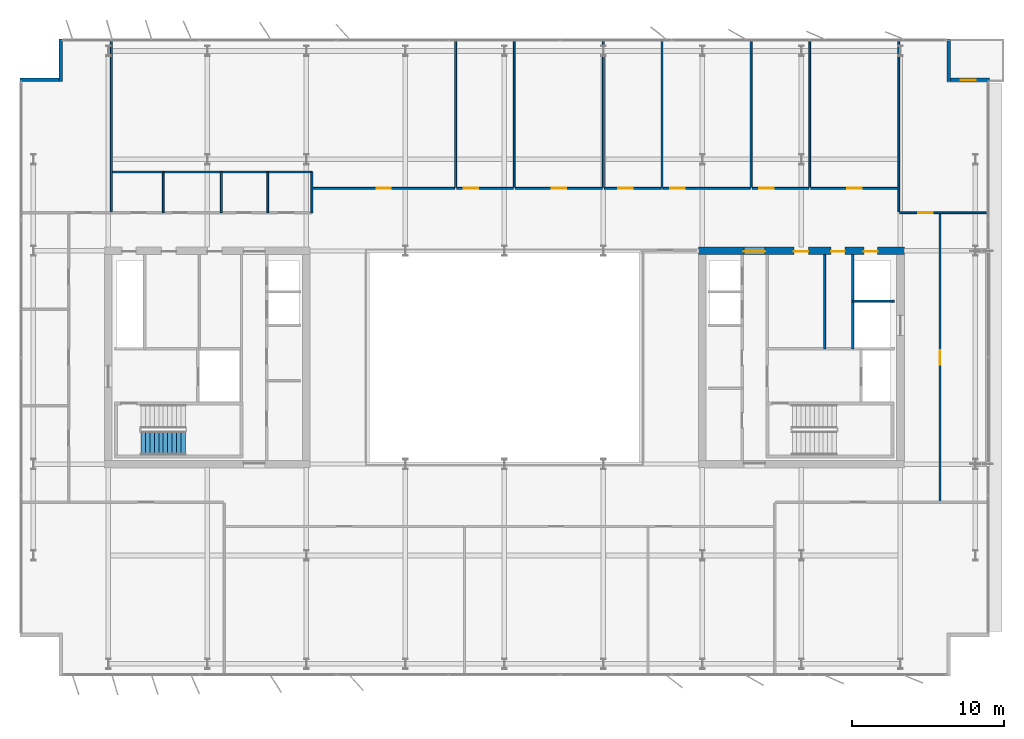
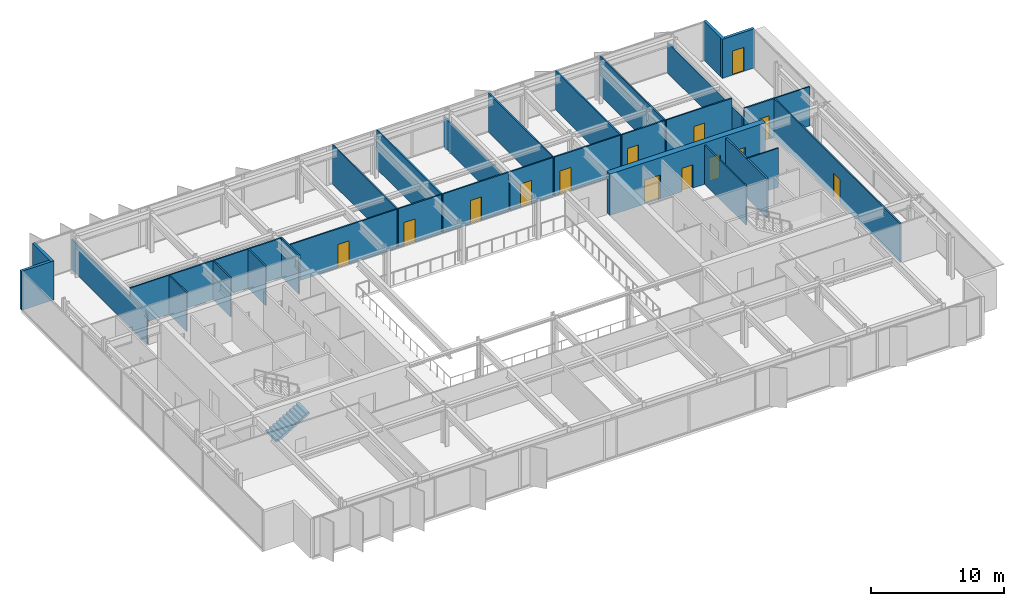
# One storey, part 14 of 19: 30 walls, 14 doors, 1 stair flight, 14 openings, 1 element without a shape of its own.
"""IFC4 building model written with IfcOpenShell, lengths in metres."""

from ifc_helpers import new_model, si_unit, direction, frame, frame_2d, origin, place, context, subcontext, project, spatial, polyline, rectangle, outline, extrude, material, layer, layer_set, type_object, element, fill, aggregate, save


model = new_model("IFC4")

# Units and contexts
model_context = context("Model", 3, precision=1e-05, world=origin(), true_north=direction((0.0, 1.0)))
body_context = subcontext(model_context, "Body", "Model", "MODEL_VIEW")
ifc_project = project(units=[si_unit("LENGTHUNIT", "METRE"), si_unit("AREAUNIT", "SQUARE_METRE"), si_unit("VOLUMEUNIT", "CUBIC_METRE"), si_unit("PLANEANGLEUNIT", "RADIAN"), si_unit("MASSUNIT", "GRAM", prefix="KILO")], contexts=[model_context])

# Site, building, storey
site_placement = place(None, origin())
site = spatial("IfcSite", under=ifc_project, at=site_placement, CompositionType="ELEMENT")
building_placement = place(site_placement, origin())
building = spatial("IfcBuilding", under=site, at=building_placement, Name="Putna Gate Headquarters", CompositionType="ELEMENT")
storey_placement = place(building_placement, frame((0.0, 0.0, 259.39990234375)))
storey = spatial("IfcBuildingStorey", under=building, at=storey_placement, Name="L65", CompositionType="ELEMENT", Elevation=259.39990234375)

# Wall, openings, doors
ifc_material_1 = material(Name="Concrete C50/60", Category="concrete")
ifc_layer_1 = layer(ifc_material_1, 0.5)
ifc_layer_set_1 = layer_set([ifc_layer_1], Name="Concrete C50/60")
wall_type_1 = type_object("IfcWallType", Name="WALL-CORE-500", PredefinedType="SHEAR", material=ifc_layer_set_1)
wall_1_placement = place(storey_placement, frame((51.75, 33.0, 0.0), z_axis=(0.0, 0.0, 1.0), x_axis=(1.0, 0.0, 0.0)))
wall_1 = element("IfcWall", 1, at=wall_1_placement, inside=storey, type_object=wall_type_1, Name="L65 EC Split Core Shear Wall N", PredefinedType="SHEAR", context=body_context, shape_type="SweptSolid", body=[
    extrude(rectangle(XDim=13.5, YDim=0.5, at=frame_2d((6.75, 0.0))), origin(), (0.0, 0.0, 1.0), 3.800048828125),
])
opening_1_placement = place(wall_1_placement, frame((2.969970703125, 0.0, 0.0)))
opening_1 = element("IfcOpeningElement", 2, at=opening_1_placement, cuts=wall_1, Name="Opening FDD-140", PredefinedType="OPENING", context=body_context, shape_type="SweptSolid", body=[
    extrude(rectangle(XDim=1.39990234375, YDim=2.199951171875, at=frame_2d((0.699951171875, 1.10009765625))), frame((0.0, 0.260009765625, 0.0), z_axis=(0.0, -1.0, 0.0), x_axis=(1.0, 0.0, 0.0)), (0.0, 0.0, 1.0), 0.52001953125),
])
opening_2_placement = place(wall_1_placement, frame((10.85009765625, 0.0, 0.0)))
opening_2 = element("IfcOpeningElement", 3, at=opening_2_placement, cuts=wall_1, Name="Opening RD-90", PredefinedType="OPENING", context=body_context, shape_type="SweptSolid", body=[
    extrude(rectangle(XDim=0.89990234375, YDim=2.14990234375, at=frame_2d((0.449951171875, 1.074951171875))), frame((0.0, 0.260009765625, 0.0), z_axis=(0.0, -1.0, 0.0), x_axis=(1.0, 0.0, 0.0)), (0.0, 0.0, 1.0), 0.52001953125),
])
opening_3_placement = place(wall_1_placement, frame((6.25, 0.0, 0.0)))
opening_3 = element("IfcOpeningElement", 4, at=opening_3_placement, cuts=wall_1, Name="Opening IDS-95", PredefinedType="OPENING", context=body_context, shape_type="SweptSolid", body=[
    extrude(rectangle(XDim=0.949951171875, YDim=2.14990234375, at=frame_2d((0.47509765625, 1.074951171875))), frame((0.0, 0.260009765625, 0.0), z_axis=(0.0, -1.0, 0.0), x_axis=(1.0, 0.0, 0.0)), (0.0, 0.0, 1.0), 0.52001953125),
])
opening_4_placement = place(wall_1_placement, frame((8.699951171875, 0.0, 0.0)))
opening_4 = element("IfcOpeningElement", 5, at=opening_4_placement, cuts=wall_1, Name="Opening IDS-90", PredefinedType="OPENING", context=body_context, shape_type="SweptSolid", body=[
    extrude(rectangle(XDim=0.89990234375, YDim=2.14990234375, at=frame_2d((0.449951171875, 1.074951171875))), frame((0.0, 0.260009765625, 0.0), z_axis=(0.0, -1.0, 0.0), x_axis=(1.0, 0.0, 0.0)), (0.0, 0.0, 1.0), 0.52001953125),
])
ifc_material_2 = material(Name="Double steel fire door", Category="steel")
door_type_1 = type_object("IfcDoorType", Name="DOOR-FIRE-DBL-1400", OperationType="DOUBLE_DOOR_SINGLE_SWING", PredefinedType="DOOR", material=ifc_material_2)
door_1_placement = place(opening_1_placement, origin())
door_1 = element("IfcDoor", 6, at=door_1_placement, inside=storey, type_object=door_type_1, Name="L65 East Lift Lobby North Door", OperationType="DOUBLE_DOOR_SINGLE_SWING", OverallHeight=2.199951171875, OverallWidth=1.39990234375, PredefinedType="DOOR", context=body_context, shape_type="SweptSolid", body=[
    extrude(rectangle(XDim=1.39990234375, YDim=2.199951171875, at=frame_2d((0.699951171875, 1.10009765625))), frame((0.0, -0.02490234375, 0.0), z_axis=(0.0, -1.0, 0.0), x_axis=(1.0, 0.0, 0.0)), (0.0, 0.0, 1.0), 0.050048828125),
])
fill(opening_1, door_1)
ifc_material_3 = material(Name="Fire-rated utility door")
door_type_2 = type_object("IfcDoorType", Name="DOOR-INT-900", OperationType="NOTDEFINED", PredefinedType="DOOR", material=ifc_material_3)
door_2_placement = place(opening_4_placement, origin())
door_2 = element("IfcDoor", 7, at=door_2_placement, inside=storey, type_object=door_type_2, Name="L65 Electrical Plant Door", OperationType="SINGLE_SWING_LEFT", OverallHeight=2.14990234375, OverallWidth=0.89990234375, PredefinedType="DOOR", context=body_context, shape_type="SweptSolid", body=[
    extrude(rectangle(XDim=0.89990234375, YDim=2.14990234375, at=frame_2d((0.449951171875, 1.074951171875))), frame((0.0, -0.02490234375, 0.0), z_axis=(0.0, -1.0, 0.0), x_axis=(1.0, 0.0, 0.0)), (0.0, 0.0, 1.0), 0.050048828125),
])
fill(opening_4, door_2)
ifc_material_4 = material(Name="Fire-rated service timber door", Category="wood")
door_type_3 = type_object("IfcDoorType", Name="DOOR-INT-950", OperationType="NOTDEFINED", PredefinedType="DOOR", material=ifc_material_4)
door_3_placement = place(opening_3_placement, origin())
door_3 = element("IfcDoor", 8, at=door_3_placement, inside=storey, type_object=door_type_3, Name="L65 East Store Door", OperationType="SINGLE_SWING_RIGHT", OverallHeight=2.14990234375, OverallWidth=0.949951171875, PredefinedType="DOOR", context=body_context, shape_type="SweptSolid", body=[
    extrude(rectangle(XDim=0.949951171875, YDim=2.14990234375, at=frame_2d((0.47509765625, 1.074951171875))), frame((0.0, -0.02490234375, 0.0), z_axis=(0.0, -1.0, 0.0), x_axis=(1.0, 0.0, 0.0)), (0.0, 0.0, 1.0), 0.050048828125),
])
fill(opening_3, door_3)
ifc_material_5 = material(Name="Steel riser access fire door", Category="steel")
door_type_4 = type_object("IfcDoorType", Name="DOOR-RISER-900", OperationType="NOTDEFINED", PredefinedType="DOOR", material=ifc_material_5)
door_4_placement = place(opening_2_placement, origin())
door_4 = element("IfcDoor", 9, at=door_4_placement, inside=storey, type_object=door_type_4, Name="L65 East Riser Access Door", OperationType="SINGLE_SWING_LEFT", OverallHeight=2.14990234375, OverallWidth=0.89990234375, PredefinedType="DOOR", context=body_context, shape_type="SweptSolid", body=[
    extrude(rectangle(XDim=0.89990234375, YDim=2.14990234375, at=frame_2d((0.449951171875, 1.074951171875))), frame((0.0, -0.02490234375, 0.0), z_axis=(0.0, -1.0, 0.0), x_axis=(1.0, 0.0, 0.0)), (0.0, 0.0, 1.0), 0.050048828125),
])
fill(opening_2, door_4)

# Walls
ifc_material_6 = material(Name="Precast concrete C40/50", Category="concrete")
ifc_layer_2 = layer(ifc_material_6, 0.239990234375)
ifc_layer_set_2 = layer_set([ifc_layer_2], Name="Precast concrete C40/50")
wall_type_2 = type_object("IfcWallType", Name="WALL-EXT-TERR-240", PredefinedType="STANDARD", material=ifc_layer_set_2)
wall_2_placement = place(storey_placement, frame((9.8798828125, 44.10009765625, 0.0), z_axis=(0.0, 0.0, 1.0), x_axis=(0.0, 1.0, 0.0)))
element("IfcWall", 10, at=wall_2_placement, inside=storey, type_object=wall_type_2, Name="L65 Corner Notch Return Wall NW-V", PredefinedType="STANDARD", context=body_context, shape_type="SweptSolid", body=[
    extrude(rectangle(XDim=2.7998046875, YDim=0.239990234375, at=frame_2d((1.39990234375, 0.0))), origin(), (0.0, 0.0, 1.0), 3.588134765625),
])
wall_3_placement = place(storey_placement, frame((7.199951171875, 44.219970703125, 0.0), z_axis=(0.0, 0.0, 1.0), x_axis=(1.0, 0.0, 0.0)))
element("IfcWall", 11, at=wall_3_placement, inside=storey, type_object=wall_type_2, Name="L65 Corner Notch Return Wall NW-H", PredefinedType="STANDARD", context=body_context, shape_type="SweptSolid", body=[
    extrude(rectangle(XDim=2.800048828125, YDim=0.239990234375, at=frame_2d((1.39990234375, 0.0))), origin(), (0.0, 0.0, 1.0), 3.588134765625),
])
wall_4_placement = place(storey_placement, frame((68.16796875, 46.89990234375, 0.0), z_axis=(0.0, 0.0, 1.0), x_axis=(0.0, -1.0, 0.0)))
element("IfcWall", 12, at=wall_4_placement, inside=storey, type_object=wall_type_2, Name="L65 Corner Notch Return Wall NE-V", PredefinedType="STANDARD", context=body_context, shape_type="SweptSolid", body=[
    extrude(rectangle(XDim=2.7998046875, YDim=0.239990234375, at=frame_2d((1.39990234375, 0.0))), origin(), (0.0, 0.0, 1.0), 3.588134765625),
])

# Wall, opening, door
wall_5_placement = place(storey_placement, frame((68.0478515625, 44.219970703125, 0.0), z_axis=(0.0, 0.0, 1.0), x_axis=(1.0, 0.0, 0.0)))
wall_5 = element("IfcWall", 13, at=wall_5_placement, inside=storey, type_object=wall_type_2, Name="L65 Corner Notch Return Wall NE-H", PredefinedType="STANDARD", context=body_context, shape_type="SweptSolid", body=[
    extrude(rectangle(XDim=2.800048828125, YDim=0.239990234375, at=frame_2d((1.39990234375, 0.0))), origin(), (0.0, 0.0, 1.0), 3.588134765625),
])
opening_5_placement = place(wall_5_placement, frame((0.89990234375, 0.0, 0.0)))
opening_5 = element("IfcOpeningElement", 14, at=opening_5_placement, cuts=wall_5, Name="Opening TRD-1", PredefinedType="OPENING", context=body_context, shape_type="SweptSolid", body=[
    extrude(rectangle(XDim=1.0, YDim=2.199951171875, at=frame_2d((0.5, 1.10009765625))), frame((0.0, 0.1298828125, 0.0), z_axis=(0.0, -1.0, 0.0), x_axis=(1.0, 0.0, 0.0)), (0.0, 0.0, 1.0), 0.260009765625),
])
ifc_material_7 = material(Name="Thermally broken bronze glazed terrace door")
door_type_5 = type_object("IfcDoorType", Name="DOOR-TERR-EXT-1000", OperationType="NOTDEFINED", PredefinedType="DOOR", material=ifc_material_7)
door_5_placement = place(opening_5_placement, origin())
door_5 = element("IfcDoor", 15, at=door_5_placement, inside=storey, type_object=door_type_5, Name="L65 Spiral Sky Terrace Door NE", OperationType="SINGLE_SWING_LEFT", OverallHeight=2.199951171875, OverallWidth=1.0, PredefinedType="DOOR", context=body_context, shape_type="SweptSolid", body=[
    extrude(rectangle(XDim=1.0, YDim=2.199951171875, at=frame_2d((0.5, 1.10009765625))), frame((0.0, 0.02490234375, 0.0), z_axis=(0.0, -1.0, 0.0), x_axis=(1.0, 0.0, 0.0)), (0.0, 0.0, 1.0), 0.050048828125),
])
fill(opening_5, door_5)

# Walls
ifc_material_8 = material(Name="Acoustic gypsum board on metal stud")
ifc_layer_3 = layer(ifc_material_8, 0.1201171875)
ifc_layer_set_3 = layer_set([ifc_layer_3], Name="Acoustic gypsum board on metal stud")
wall_type_3 = type_object("IfcWallType", Name="WALL-PART-120", PredefinedType="PARTITIONING", material=ifc_layer_set_3)
wall_6_placement = place(storey_placement, frame((13.199951171875, 35.56005859375, 0.0), z_axis=(0.0, 0.0, 1.0), x_axis=(0.0, 1.0, 0.0)))
element("IfcWall", 16, at=wall_6_placement, inside=storey, type_object=wall_type_3, Name="L65 Interior Wall PART-L65-NB-DIV-01", PredefinedType="PARTITIONING", context=body_context, shape_type="SweptSolid", body=[
    extrude(rectangle(XDim=11.31982421875, YDim=0.1201171875, at=frame_2d((5.659912109375, 0.0))), origin(), (0.0, 0.0, 1.0), 2.7880859375),
])
for number, where, z_axis, x_axis, name in (
    (17, (35.800048828125, 37.159912109375, 0.0), (0.0, 0.0, 1.0), (0.0, 1.0, 0.0), "L65 Interior Wall PART-L65-NB-DIV-02"),
    (18, (39.650390625, 37.159912109375, 0.0), (0.0, 0.0, 1.0), (0.0, 1.0, 0.0), "L65 Interior Wall PART-L65-NB-DIV-03"),
):
    element("IfcWall", number, at=place(storey_placement, frame(where, z_axis=z_axis, x_axis=x_axis)), inside=storey, type_object=wall_type_3, Name=name, PredefinedType="PARTITIONING", context=body_context, shape_type="SweptSolid", body=[
        extrude(rectangle(XDim=9.719970703125, YDim=0.1201171875, at=frame_2d((4.85986328125, 0.0))), origin(), (0.0, 0.0, 1.0), 3.588134765625),
    ])
wall_7_placement = place(storey_placement, frame((45.497314453125, 37.159912109375, 0.0), z_axis=(0.0, 0.0, 1.0), x_axis=(0.0, 1.0, 0.0)))
element("IfcWall", 19, at=wall_7_placement, inside=storey, type_object=wall_type_3, Name="L65 Interior Wall PART-L65-NB-DIV-04", PredefinedType="PARTITIONING", context=body_context, shape_type="SweptSolid", body=[
    extrude(rectangle(XDim=9.719970703125, YDim=0.1201171875, at=frame_2d((4.85986328125, 0.0))), origin(), (0.0, 0.0, 1.0), 2.7880859375),
])
for number, where, z_axis, x_axis, name in (
    (20, (49.347900390625, 37.159912109375, 0.0), (0.0, 0.0, 1.0), (0.0, 1.0, 0.0), "L65 Interior Wall PART-L65-NB-DIV-05"),
    (21, (55.19482421875, 37.159912109375, 0.0), (0.0, 0.0, 1.0), (0.0, 1.0, 0.0), "L65 Interior Wall PART-L65-NB-DIV-06"),
    (22, (59.04541015625, 37.159912109375, 0.0), (0.0, 0.0, 1.0), (0.0, 1.0, 0.0), "L65 Interior Wall PART-L65-NB-DIV-07"),
):
    element("IfcWall", number, at=place(storey_placement, frame(where, z_axis=z_axis, x_axis=x_axis)), inside=storey, type_object=wall_type_3, Name=name, PredefinedType="PARTITIONING", context=body_context, shape_type="SweptSolid", body=[
        extrude(rectangle(XDim=9.719970703125, YDim=0.1201171875, at=frame_2d((4.85986328125, 0.0))), origin(), (0.0, 0.0, 1.0), 3.588134765625),
    ])
wall_8_placement = place(storey_placement, frame((64.89208984375, 35.56005859375, 0.0), z_axis=(0.0, 0.0, 1.0), x_axis=(0.0, 1.0, 0.0)))
element("IfcWall", 23, at=wall_8_placement, inside=storey, type_object=wall_type_3, Name="L65 Interior Wall PART-L65-NB-DIV-08", PredefinedType="PARTITIONING", context=body_context, shape_type="SweptSolid", body=[
    extrude(rectangle(XDim=11.31982421875, YDim=0.1201171875, at=frame_2d((5.659912109375, 0.0))), origin(), (0.0, 0.0, 1.0), 2.7880859375),
])
ifc_material_9 = material(Name="Fire-rated shaftwall gypsum board on metal stud")
ifc_layer_4 = layer(ifc_material_9, 0.1201171875)
ifc_layer_set_4 = layer_set([ifc_layer_4], Name="Fire-rated shaftwall gypsum board on metal stud")
wall_type_4 = type_object("IfcWallType", Name="WALL-PART-120-EI120", PredefinedType="PARTITIONING", material=ifc_layer_set_4)
wall_9_placement = place(storey_placement, frame((61.8701171875, 29.699951171875, 0.0), z_axis=(0.0, 0.0, 1.0), x_axis=(1.0, 0.0, 0.0)))
element("IfcWall", 24, at=wall_9_placement, inside=storey, type_object=wall_type_4, Name="L65 Interior Wall CWINT-L65-EC-LF15-N", PredefinedType="PARTITIONING", context=body_context, shape_type="SweptSolid", body=[
    extrude(rectangle(XDim=2.72998046875, YDim=0.1201171875, at=frame_2d((1.364990234375, 0.0))), origin(), (0.0, 0.0, 1.0), 3.588134765625),
])
ifc_material_10 = material(Name="Fire-rated gypsum board on metal stud")
ifc_layer_5 = layer(ifc_material_10, 0.1201171875)
ifc_layer_set_5 = layer_set([ifc_layer_5], Name="Fire-rated gypsum board on metal stud")
wall_type_5 = type_object("IfcWallType", Name="WALL-PART-120-RATED", PredefinedType="PARTITIONING", material=ifc_layer_set_5)
wall_10_placement = place(storey_placement, frame((60.02001953125, 26.56005859375, 0.0), z_axis=(0.0, 0.0, 1.0), x_axis=(0.0, 1.0, 0.0)))
element("IfcWall", 25, at=wall_10_placement, inside=storey, type_object=wall_type_5, Name="L65 Interior Wall CWINT-L65-EC-K0-DIV", PredefinedType="PARTITIONING", context=body_context, shape_type="SweptSolid", body=[
    extrude(rectangle(XDim=6.18994140625, YDim=0.1201171875, at=frame_2d((3.094970703125, 0.0))), origin(), (0.0, 0.0, 1.0), 3.588134765625),
])
wall_11_placement = place(storey_placement, frame((13.199951171875, 38.179931640625, 0.0), z_axis=(0.0, 0.0, 1.0), x_axis=(1.0, 0.0, 0.0)))
element("IfcWall", 26, at=wall_11_placement, inside=storey, type_object=wall_type_5, Name="L65 Interior Wall PART-L65-SAN-BACK", PredefinedType="PARTITIONING", context=body_context, shape_type="SweptSolid", body=[
    extrude(rectangle(XDim=13.16015625, YDim=0.1201171875, at=frame_2d((6.580078125, 0.0))), origin(), (0.0, 0.0, 1.0), 3.588134765625),
])
for number, where, z_axis, x_axis, name in (
    (27, (16.60009765625, 35.5, 0.0), (0.0, 0.0, 1.0), (0.0, 1.0, 0.0), "L65 Interior Wall PART-L65-SAN-DIV-1"),
    (28, (20.419921875, 35.5, 0.0), (0.0, 0.0, 1.0), (0.0, 1.0, 0.0), "L65 Interior Wall PART-L65-SAN-DIV-2"),
    (29, (23.4599609375, 35.5, 0.0), (0.0, 0.0, 1.0), (0.0, 1.0, 0.0), "L65 Interior Wall PART-L65-SAN-DIV-3"),
    (30, (26.360107421875, 35.5, 0.0), (0.0, 0.0, 1.0), (0.0, 1.0, 0.0), "L65 Interior Wall PART-L65-SAN-DIV-4"),
):
    element("IfcWall", number, at=place(storey_placement, frame(where, z_axis=z_axis, x_axis=x_axis)), inside=storey, type_object=wall_type_5, Name=name, PredefinedType="PARTITIONING", context=body_context, shape_type="SweptSolid", body=[
        extrude(rectangle(XDim=2.679931640625, YDim=0.1201171875, at=frame_2d((1.33984375, 0.0))), origin(), (0.0, 0.0, 1.0), 3.588134765625),
    ])

# Wall, opening, door
wall_12_placement = place(storey_placement, frame((26.419921875, 37.10009765625, 0.0), z_axis=(0.0, 0.0, 1.0), x_axis=(1.0, 0.0, 0.0)))
wall_12 = element("IfcWall", 31, at=wall_12_placement, inside=storey, type_object=wall_type_5, Name="L65 Interior Wall PART-L65-NB-CW-02", PredefinedType="PARTITIONING", context=body_context, shape_type="SweptSolid", body=[
    extrude(rectangle(XDim=9.320068359375, YDim=0.1201171875, at=frame_2d((4.66015625, 0.0))), origin(), (0.0, 0.0, 1.0), 3.588134765625),
])
opening_6_placement = place(wall_12_placement, frame((4.18505859375, 0.0, 0.0)))
opening_6 = element("IfcOpeningElement", 32, at=opening_6_placement, cuts=wall_12, Name="Opening FD-95", PredefinedType="OPENING", context=body_context, shape_type="SweptSolid", body=[
    extrude(rectangle(XDim=0.949951171875, YDim=2.14990234375, at=frame_2d((0.47509765625, 1.074951171875))), frame((0.0, 0.070068359375, 0.0), z_axis=(0.0, -1.0, 0.0), x_axis=(1.0, 0.0, 0.0)), (0.0, 0.0, 1.0), 0.14013671875),
])
ifc_material_11 = material(Name="Acoustic timber fire door", Category="wood")
door_type_6 = type_object("IfcDoorType", Name="DOOR-FIRE-950", OperationType="NOTDEFINED", PredefinedType="DOOR", material=ifc_material_11)
door_6_placement = place(opening_6_placement, origin())
door_6 = element("IfcDoor", 33, at=door_6_placement, inside=storey, type_object=door_type_6, Name="L65 Primary Open Office Workplace Door", OperationType="SINGLE_SWING_LEFT", OverallHeight=2.14990234375, OverallWidth=0.949951171875, PredefinedType="DOOR", context=body_context, shape_type="SweptSolid", body=[
    extrude(rectangle(XDim=0.949951171875, YDim=2.14990234375, at=frame_2d((0.47509765625, 1.074951171875))), frame((0.0, 0.02490234375, 0.0), z_axis=(0.0, -1.0, 0.0), x_axis=(1.0, 0.0, 0.0)), (0.0, 0.0, 1.0), 0.050048828125),
])
fill(opening_6, door_6)

wall_13_placement = place(storey_placement, frame((35.860107421875, 37.10009765625, 0.0), z_axis=(0.0, 0.0, 1.0), x_axis=(1.0, 0.0, 0.0)))
wall_13 = element("IfcWall", 34, at=wall_13_placement, inside=storey, type_object=wall_type_5, Name="L65 Interior Wall PART-L65-NB-CW-03", PredefinedType="PARTITIONING", context=body_context, shape_type="SweptSolid", body=[
    extrude(rectangle(XDim=3.730224609375, YDim=0.1201171875, at=frame_2d((1.865234375, 0.0))), origin(), (0.0, 0.0, 1.0), 3.588134765625),
])
opening_7_placement = place(wall_13_placement, frame((0.47998046875, 0.0, 0.0)))
opening_7 = element("IfcOpeningElement", 35, at=opening_7_placement, cuts=wall_13, Name="Opening FD-95", PredefinedType="OPENING", context=body_context, shape_type="SweptSolid", body=[
    extrude(rectangle(XDim=0.949951171875, YDim=2.14990234375, at=frame_2d((0.47509765625, 1.074951171875))), frame((0.0, 0.070068359375, 0.0), z_axis=(0.0, -1.0, 0.0), x_axis=(1.0, 0.0, 0.0)), (0.0, 0.0, 1.0), 0.14013671875),
])
door_7_placement = place(opening_7_placement, origin())
door_7 = element("IfcDoor", 36, at=door_7_placement, inside=storey, type_object=door_type_6, Name="L65 Quiet Wellness Focus Studio 2 Door", OperationType="SINGLE_SWING_RIGHT", OverallHeight=2.14990234375, OverallWidth=0.949951171875, PredefinedType="DOOR", context=body_context, shape_type="SweptSolid", body=[
    extrude(rectangle(XDim=0.949951171875, YDim=2.14990234375, at=frame_2d((0.47509765625, 1.074951171875))), frame((0.0, 0.02490234375, 0.0), z_axis=(0.0, -1.0, 0.0), x_axis=(1.0, 0.0, 0.0)), (0.0, 0.0, 1.0), 0.050048828125),
])
fill(opening_7, door_7)

wall_14_placement = place(storey_placement, frame((39.71044921875, 37.10009765625, 0.0), z_axis=(0.0, 0.0, 1.0), x_axis=(1.0, 0.0, 0.0)))
wall_14 = element("IfcWall", 37, at=wall_14_placement, inside=storey, type_object=wall_type_5, Name="L65 Interior Wall PART-L65-NB-CW-04", PredefinedType="PARTITIONING", context=body_context, shape_type="SweptSolid", body=[
    extrude(rectangle(XDim=5.72705078125, YDim=0.1201171875, at=frame_2d((2.863525390625, 0.0))), origin(), (0.0, 0.0, 1.0), 3.588134765625),
])
opening_8_placement = place(wall_14_placement, frame((2.388427734375, 0.0, 0.0)))
opening_8 = element("IfcOpeningElement", 38, at=opening_8_placement, cuts=wall_14, Name="Opening FD-95", PredefinedType="OPENING", context=body_context, shape_type="SweptSolid", body=[
    extrude(rectangle(XDim=0.949951171875, YDim=2.14990234375, at=frame_2d((0.47509765625, 1.074951171875))), frame((0.0, 0.070068359375, 0.0), z_axis=(0.0, -1.0, 0.0), x_axis=(1.0, 0.0, 0.0)), (0.0, 0.0, 1.0), 0.14013671875),
])
door_8_placement = place(opening_8_placement, origin())
door_8 = element("IfcDoor", 39, at=door_8_placement, inside=storey, type_object=door_type_6, Name="L65 Cellular Office 1 Door", OperationType="SINGLE_SWING_LEFT", OverallHeight=2.14990234375, OverallWidth=0.949951171875, PredefinedType="DOOR", context=body_context, shape_type="SweptSolid", body=[
    extrude(rectangle(XDim=0.949951171875, YDim=2.14990234375, at=frame_2d((0.47509765625, 1.074951171875))), frame((0.0, 0.02490234375, 0.0), z_axis=(0.0, -1.0, 0.0), x_axis=(1.0, 0.0, 0.0)), (0.0, 0.0, 1.0), 0.050048828125),
])
fill(opening_8, door_8)

wall_15_placement = place(storey_placement, frame((45.557373046875, 37.10009765625, 0.0), z_axis=(0.0, 0.0, 1.0), x_axis=(1.0, 0.0, 0.0)))
wall_15 = element("IfcWall", 40, at=wall_15_placement, inside=storey, type_object=wall_type_5, Name="L65 Interior Wall PART-L65-NB-CW-05", PredefinedType="PARTITIONING", context=body_context, shape_type="SweptSolid", body=[
    extrude(rectangle(XDim=3.73046875, YDim=0.1201171875, at=frame_2d((1.865234375, 0.0))), origin(), (0.0, 0.0, 1.0), 3.588134765625),
])
opening_9_placement = place(wall_15_placement, frame((0.910888671875, 0.0, 0.0)))
opening_9 = element("IfcOpeningElement", 41, at=opening_9_placement, cuts=wall_15, Name="Opening FD-95", PredefinedType="OPENING", context=body_context, shape_type="SweptSolid", body=[
    extrude(rectangle(XDim=0.949951171875, YDim=2.14990234375, at=frame_2d((0.47509765625, 1.074951171875))), frame((0.0, 0.070068359375, 0.0), z_axis=(0.0, -1.0, 0.0), x_axis=(1.0, 0.0, 0.0)), (0.0, 0.0, 1.0), 0.14013671875),
])
door_9_placement = place(opening_9_placement, origin())
door_9 = element("IfcDoor", 42, at=door_9_placement, inside=storey, type_object=door_type_6, Name="L65 Cellular Office 2 Door", OperationType="SINGLE_SWING_RIGHT", OverallHeight=2.14990234375, OverallWidth=0.949951171875, PredefinedType="DOOR", context=body_context, shape_type="SweptSolid", body=[
    extrude(rectangle(XDim=0.949951171875, YDim=2.14990234375, at=frame_2d((0.47509765625, 1.074951171875))), frame((0.0, 0.02490234375, 0.0), z_axis=(0.0, -1.0, 0.0), x_axis=(1.0, 0.0, 0.0)), (0.0, 0.0, 1.0), 0.050048828125),
])
fill(opening_9, door_9)

wall_16_placement = place(storey_placement, frame((49.407958984375, 37.10009765625, 0.0), z_axis=(0.0, 0.0, 1.0), x_axis=(1.0, 0.0, 0.0)))
wall_16 = element("IfcWall", 43, at=wall_16_placement, inside=storey, type_object=wall_type_5, Name="L65 Interior Wall PART-L65-NB-CW-06", PredefinedType="PARTITIONING", context=body_context, shape_type="SweptSolid", body=[
    extrude(rectangle(XDim=5.726806640625, YDim=0.1201171875, at=frame_2d((2.86328125, 0.0))), origin(), (0.0, 0.0, 1.0), 3.588134765625),
])
opening_10_placement = place(wall_16_placement, frame((0.47998046875, 0.0, 0.0)))
opening_10 = element("IfcOpeningElement", 44, at=opening_10_placement, cuts=wall_16, Name="Opening FD-95", PredefinedType="OPENING", context=body_context, shape_type="SweptSolid", body=[
    extrude(rectangle(XDim=0.949951171875, YDim=2.14990234375, at=frame_2d((0.47509765625, 1.074951171875))), frame((0.0, 0.070068359375, 0.0), z_axis=(0.0, -1.0, 0.0), x_axis=(1.0, 0.0, 0.0)), (0.0, 0.0, 1.0), 0.14013671875),
])
door_10_placement = place(opening_10_placement, origin())
door_10 = element("IfcDoor", 45, at=door_10_placement, inside=storey, type_object=door_type_6, Name="L65 Cellular Office 3 Door", OperationType="SINGLE_SWING_LEFT", OverallHeight=2.14990234375, OverallWidth=0.949951171875, PredefinedType="DOOR", context=body_context, shape_type="SweptSolid", body=[
    extrude(rectangle(XDim=0.949951171875, YDim=2.14990234375, at=frame_2d((0.47509765625, 1.074951171875))), frame((0.0, 0.02490234375, 0.0), z_axis=(0.0, -1.0, 0.0), x_axis=(1.0, 0.0, 0.0)), (0.0, 0.0, 1.0), 0.050048828125),
])
fill(opening_10, door_10)

wall_17_placement = place(storey_placement, frame((55.2548828125, 37.10009765625, 0.0), z_axis=(0.0, 0.0, 1.0), x_axis=(1.0, 0.0, 0.0)))
wall_17 = element("IfcWall", 46, at=wall_17_placement, inside=storey, type_object=wall_type_5, Name="L65 Interior Wall PART-L65-NB-CW-07", PredefinedType="PARTITIONING", context=body_context, shape_type="SweptSolid", body=[
    extrude(rectangle(XDim=3.73046875, YDim=0.1201171875, at=frame_2d((1.865234375, 0.0))), origin(), (0.0, 0.0, 1.0), 3.588134765625),
])
opening_11_placement = place(wall_17_placement, frame((0.47998046875, 0.0, 0.0)))
opening_11 = element("IfcOpeningElement", 47, at=opening_11_placement, cuts=wall_17, Name="Opening FD-95", PredefinedType="OPENING", context=body_context, shape_type="SweptSolid", body=[
    extrude(rectangle(XDim=0.949951171875, YDim=2.14990234375, at=frame_2d((0.47509765625, 1.074951171875))), frame((0.0, 0.070068359375, 0.0), z_axis=(0.0, -1.0, 0.0), x_axis=(1.0, 0.0, 0.0)), (0.0, 0.0, 1.0), 0.14013671875),
])
door_11_placement = place(opening_11_placement, origin())
door_11 = element("IfcDoor", 48, at=door_11_placement, inside=storey, type_object=door_type_6, Name="L65 Cellular Office 4 Door", OperationType="SINGLE_SWING_RIGHT", OverallHeight=2.14990234375, OverallWidth=0.949951171875, PredefinedType="DOOR", context=body_context, shape_type="SweptSolid", body=[
    extrude(rectangle(XDim=0.949951171875, YDim=2.14990234375, at=frame_2d((0.47509765625, 1.074951171875))), frame((0.0, 0.02490234375, 0.0), z_axis=(0.0, -1.0, 0.0), x_axis=(1.0, 0.0, 0.0)), (0.0, 0.0, 1.0), 0.050048828125),
])
fill(opening_11, door_11)

wall_18_placement = place(storey_placement, frame((59.105224609375, 37.10009765625, 0.0), z_axis=(0.0, 0.0, 1.0), x_axis=(1.0, 0.0, 0.0)))
wall_18 = element("IfcWall", 49, at=wall_18_placement, inside=storey, type_object=wall_type_5, Name="L65 Interior Wall PART-L65-NB-CW-08", PredefinedType="PARTITIONING", context=body_context, shape_type="SweptSolid", body=[
    extrude(rectangle(XDim=5.72705078125, YDim=0.1201171875, at=frame_2d((2.863525390625, 0.0))), origin(), (0.0, 0.0, 1.0), 3.588134765625),
])
opening_12_placement = place(wall_18_placement, frame((2.388427734375, 0.0, 0.0)))
opening_12 = element("IfcOpeningElement", 50, at=opening_12_placement, cuts=wall_18, Name="Opening FD-95", PredefinedType="OPENING", context=body_context, shape_type="SweptSolid", body=[
    extrude(rectangle(XDim=0.949951171875, YDim=2.14990234375, at=frame_2d((0.47509765625, 1.074951171875))), frame((0.0, 0.070068359375, 0.0), z_axis=(0.0, -1.0, 0.0), x_axis=(1.0, 0.0, 0.0)), (0.0, 0.0, 1.0), 0.14013671875),
])
door_12_placement = place(opening_12_placement, origin())
door_12 = element("IfcDoor", 51, at=door_12_placement, inside=storey, type_object=door_type_6, Name="L65 Cellular Office 5 Door", OperationType="SINGLE_SWING_LEFT", OverallHeight=2.14990234375, OverallWidth=0.949951171875, PredefinedType="DOOR", context=body_context, shape_type="SweptSolid", body=[
    extrude(rectangle(XDim=0.949951171875, YDim=2.14990234375, at=frame_2d((0.47509765625, 1.074951171875))), frame((0.0, 0.02490234375, 0.0), z_axis=(0.0, -1.0, 0.0), x_axis=(1.0, 0.0, 0.0)), (0.0, 0.0, 1.0), 0.050048828125),
])
fill(opening_12, door_12)

wall_19_placement = place(storey_placement, frame((64.9521484375, 35.5, 0.0), z_axis=(0.0, 0.0, 1.0), x_axis=(1.0, 0.0, 0.0)))
wall_19 = element("IfcWall", 52, at=wall_19_placement, inside=storey, type_object=wall_type_5, Name="L65 Interior Wall PART-L65-NB-CW-09", PredefinedType="PARTITIONING", context=body_context, shape_type="SweptSolid", body=[
    extrude(rectangle(XDim=5.7158203125, YDim=0.1201171875, at=frame_2d((2.85791015625, 0.0))), origin(), (0.0, 0.0, 1.0), 3.588134765625),
])
opening_13_placement = place(wall_19_placement, frame((1.2177734375, 0.0, 0.0)))
opening_13 = element("IfcOpeningElement", 53, at=opening_13_placement, cuts=wall_19, Name="Opening FD-95", PredefinedType="OPENING", context=body_context, shape_type="SweptSolid", body=[
    extrude(rectangle(XDim=0.949951171875, YDim=2.14990234375, at=frame_2d((0.47509765625, 1.074951171875))), frame((0.0, 0.070068359375, 0.0), z_axis=(0.0, -1.0, 0.0), x_axis=(1.0, 0.0, 0.0)), (0.0, 0.0, 1.0), 0.14013671875),
])
door_13_placement = place(opening_13_placement, origin())
door_13 = element("IfcDoor", 54, at=door_13_placement, inside=storey, type_object=door_type_6, Name="L65 Collaborative Breakout Lounge 2 Door", OperationType="SINGLE_SWING_RIGHT", OverallHeight=2.14990234375, OverallWidth=0.949951171875, PredefinedType="DOOR", context=body_context, shape_type="SweptSolid", body=[
    extrude(rectangle(XDim=0.949951171875, YDim=2.14990234375, at=frame_2d((0.47509765625, 1.074951171875))), frame((0.0, 0.02490234375, 0.0), z_axis=(0.0, -1.0, 0.0), x_axis=(1.0, 0.0, 0.0)), (0.0, 0.0, 1.0), 0.050048828125),
])
fill(opening_13, door_13)

wall_20_placement = place(storey_placement, frame((67.60009765625, 16.5, 0.0), z_axis=(0.0, 0.0, 1.0), x_axis=(0.0, 1.0, 0.0)))
wall_20 = element("IfcWall", 55, at=wall_20_placement, inside=storey, type_object=wall_type_5, Name="L65 Interior Wall PART-L65-EW-CW-1", PredefinedType="PARTITIONING", context=body_context, shape_type="SweptSolid", body=[
    extrude(rectangle(XDim=19.0, YDim=0.1201171875, at=frame_2d((9.5, 0.0))), origin(), (0.0, 0.0, 1.0), 3.588134765625),
])
opening_14_placement = place(wall_20_placement, frame((9.02490234375, 0.0, 0.0)))
opening_14 = element("IfcOpeningElement", 56, at=opening_14_placement, cuts=wall_20, Name="Opening FD-95", PredefinedType="OPENING", context=body_context, shape_type="SweptSolid", body=[
    extrude(rectangle(XDim=0.949951171875, YDim=2.14990234375, at=frame_2d((0.47509765625, 1.074951171875))), frame((0.0, 0.070068359375, 0.0), z_axis=(0.0, -1.0, 0.0), x_axis=(1.0, 0.0, 0.0)), (0.0, 0.0, 1.0), 0.14013671875),
])
door_14_placement = place(opening_14_placement, origin())
door_14 = element("IfcDoor", 57, at=door_14_placement, inside=storey, type_object=door_type_6, Name="L65 East Advisory Office 1 Door", OperationType="SINGLE_SWING_LEFT", OverallHeight=2.14990234375, OverallWidth=0.949951171875, PredefinedType="DOOR", context=body_context, shape_type="SweptSolid", body=[
    extrude(rectangle(XDim=0.949951171875, YDim=2.14990234375, at=frame_2d((0.47509765625, 1.074951171875))), frame((0.0, 0.02490234375, 0.0), z_axis=(0.0, -1.0, 0.0), x_axis=(1.0, 0.0, 0.0)), (0.0, 0.0, 1.0), 0.050048828125),
])
fill(opening_14, door_14)

# Wall
ifc_material_12 = material(Name="Concrete C40/50", Category="concrete")
ifc_layer_6 = layer(ifc_material_12, 0.159912109375)
ifc_layer_set_6 = layer_set([ifc_layer_6], Name="Concrete C40/50")
wall_type_6 = type_object("IfcWallType", Name="WALL-SHAFT-160", PredefinedType="STANDARD", material=ifc_layer_set_6)
wall_21_placement = place(storey_placement, frame((61.8701171875, 26.56005859375, 0.0), z_axis=(0.0, 0.0, 1.0), x_axis=(0.0, 1.0, 0.0)))
element("IfcWall", 58, at=wall_21_placement, inside=storey, type_object=wall_type_6, Name="L65 Interior Wall CWINT-L65-EC-LF15-W", PredefinedType="STANDARD", context=body_context, shape_type="SweptSolid", body=[
    extrude(rectangle(XDim=6.18994140625, YDim=0.159912109375, at=frame_2d((3.094970703125, 0.0))), origin(), (0.0, 0.0, 1.0), 3.588134765625),
])

# Stair, stair flight
stair_type = type_object("IfcStairType", Name="STAIR-ST1", PredefinedType="HALF_TURN_STAIR", material=ifc_material_12)
stair_placement = place(storey_placement, origin())
stair = element("IfcStair", 59, at=stair_placement, inside=storey, type_object=stair_type, Name="L65 West Core Exit Stair ST1", PredefinedType="HALF_TURN_STAIR")
stair_flight_type = type_object("IfcStairFlightType", Name="FLIGHT-ST1", PredefinedType="STRAIGHT", material=ifc_material_12)
stair_flight_placement = place(storey_placement, frame((15.14990234375, 20.375, 0.0), z_axis=(0.0, 0.0, 1.0), x_axis=(1.0, 0.0, 0.0)))
stair_flight = element("IfcStairFlight", 60, at=stair_flight_placement, type_object=stair_flight_type, Name="ST1 flight 1", NumberOfRisers=11, NumberOfTreads=10, PredefinedType="STRAIGHT", RiserHeight=0.172727273, TreadLength=0.29, context=body_context, shape_type="SweptSolid", body=[
    extrude(outline(polyline([(0.0, 0.0), (0.0, 0.172607421875), (0.2900390625, 0.172607421875), (0.2900390625, 0.345458984375), (0.580078125, 0.345458984375), (0.580078125, 0.51806640625), (0.8701171875, 0.51806640625), (0.8701171875, 0.69091796875), (1.159912109375, 0.69091796875), (1.159912109375, 0.863525390625), (1.449951171875, 0.863525390625), (1.449951171875, 1.036376953125), (1.739990234375, 1.036376953125), (1.739990234375, 1.208984375), (2.030029296875, 1.208984375), (2.030029296875, 1.3818359375), (2.320068359375, 1.3818359375), (2.320068359375, 1.554443359375), (2.610107421875, 1.554443359375), (2.610107421875, 1.727294921875), (2.89990234375, 1.727294921875), (2.89990234375, 1.89990234375), (2.89990234375, 1.552734375), (0.29296875, 0.0), (0.0, 0.0)])), frame((0.0, 0.77490234375, 0.0), z_axis=(0.0, -1.0, 0.0), x_axis=(1.0, 0.0, 0.0)), (0.0, 0.0, 1.0), 1.550048828125),
])
aggregate(stair, [stair_flight])

save(model, "model.ifc")
